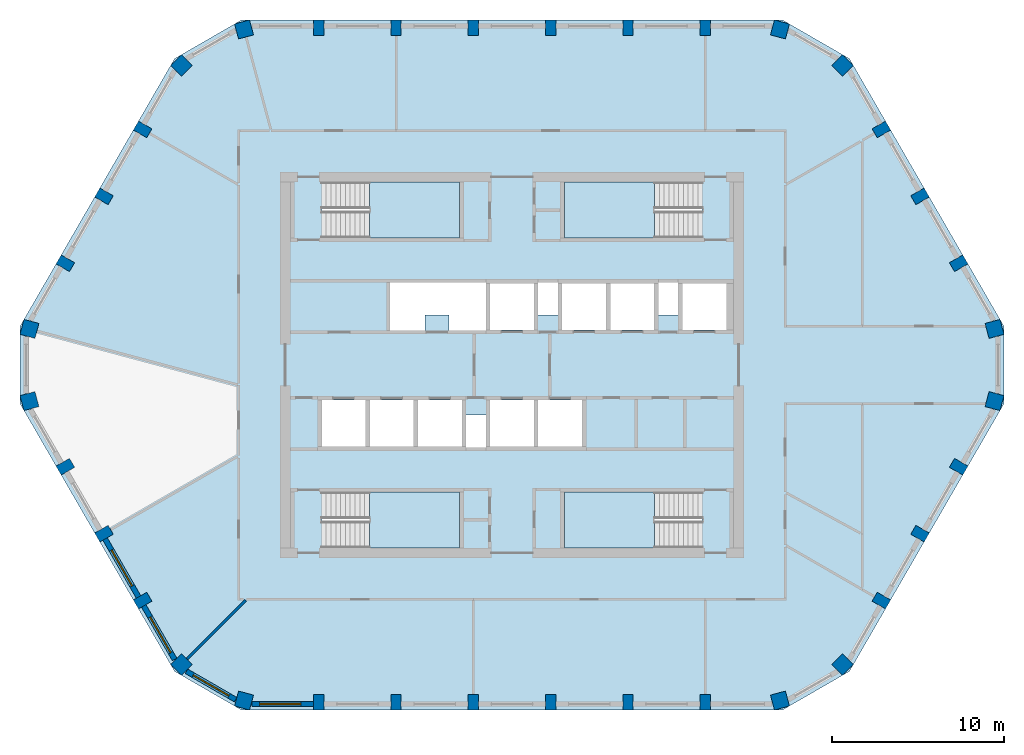
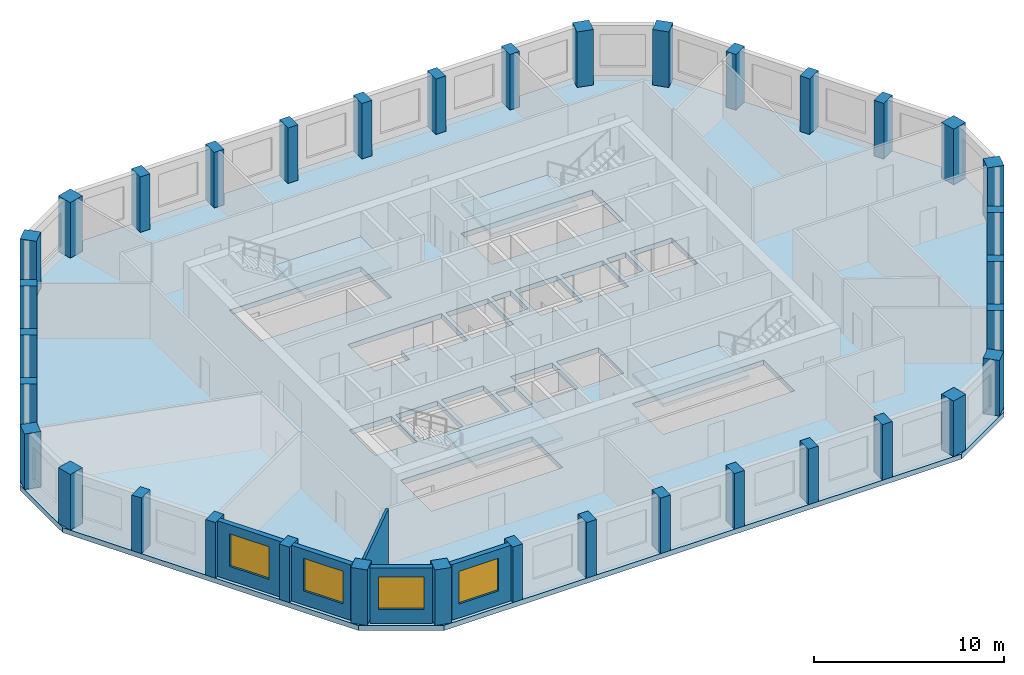
# One storey, part 1 of 9: 36 columns, 5 slabs, 5 walls, 4 windows, 4 openings, 4 elements without a shape of their own.
"""IFC4 building model written with IfcOpenShell, lengths in metres."""

from ifc_helpers import new_model, si_unit, direction, frame, frame_2d, origin, origin_2d, place, context, subcontext, project, spatial, polyline, rectangle, outline, extrude, material, layer, layer_set, material_profile, profile_set, type_object, element, fill, aggregate, save


model = new_model("IFC4")

# Units and contexts
model_context = context("Model", 3, precision=1e-05, world=origin(), true_north=direction((0.0, 1.0)))
body_context = subcontext(model_context, "Body", "Model", "MODEL_VIEW")
ifc_project = project(units=[si_unit("LENGTHUNIT", "METRE"), si_unit("AREAUNIT", "SQUARE_METRE"), si_unit("VOLUMEUNIT", "CUBIC_METRE"), si_unit("PLANEANGLEUNIT", "RADIAN"), si_unit("MASSUNIT", "GRAM", prefix="KILO")], contexts=[model_context])

# Site, building, storey
site_placement = place(None, origin())
site = spatial("IfcSite", under=ifc_project, at=site_placement, CompositionType="ELEMENT")
building_placement = place(site_placement, origin())
building = spatial("IfcBuilding", under=site, at=building_placement, Name="Dhurran Vertical Campus", CompositionType="ELEMENT")
storey_placement = place(building_placement, frame((0.0, 0.0, 290.39990234375)))
storey = spatial("IfcBuildingStorey", under=building, at=storey_placement, Name="L72", CompositionType="ELEMENT", Elevation=290.39990234375)

# Columns
ifc_material_1 = material(Name="Concrete C50/60", Category="concrete")
ifc_material_profile_1 = material_profile(ifc_material_1, rectangle(XDim=0.60009765625, YDim=0.89990234375, at=origin_2d()), Name="RC 600x900")
ifc_profile_set_1 = profile_set([ifc_material_profile_1], Name="Concrete C50/60")
column_type_1 = type_object("IfcColumnType", Name="FR COL RC 600x900 C50/60", PredefinedType="COLUMN", material=ifc_profile_set_1)
for number, where, z_axis, x_axis, name in (
    (1, (-11.25, -19.638427734375, 0.0), (0.0, 0.0, 1.0), (1.0, 0.0, 0.0), "Perimeter pier PP6.01"),
    (2, (-6.75, -19.638427734375, 0.0), (0.0, 0.0, 1.0), (1.0, 0.0, 0.0), "Perimeter pier PP6.02"),
    (3, (-2.25, -19.638427734375, 0.0), (0.0, 0.0, 1.0), (1.0, 0.0, 0.0), "Perimeter pier PP6.03"),
    (4, (2.25, -19.638427734375, 0.0), (0.0, 0.0, 1.0), (1.0, 0.0, 0.0), "Perimeter pier PP6.04"),
    (5, (6.75, -19.638427734375, 0.0), (0.0, 0.0, 1.0), (1.0, 0.0, 0.0), "Perimeter pier PP6.05"),
    (6, (11.25, -19.638427734375, 0.0), (0.0, 0.0, 1.0), (1.0, 0.0, 0.0), "Perimeter pier PP6.06"),
    (7, (21.50732421875, -13.71630859375, 0.0), (0.0, 0.0, 1.0), (0.5, 0.866025403784, 0.0), "Perimeter pier PP6.09"),
    (8, (23.75732421875, -9.819091796875, 0.0), (0.0, 0.0, 1.0), (0.5, 0.866025403784, 0.0), "Perimeter pier PP6.10"),
    (9, (26.00732421875, -5.922119140625, 0.0), (0.0, 0.0, 1.0), (0.5, 0.866025403784, 0.0), "Perimeter pier PP6.11"),
    (10, (26.00732421875, 5.922119140625, 0.0), (0.0, 0.0, 1.0), (-0.5, 0.866025403784, 0.0), "Perimeter pier PP6.14"),
    (11, (23.75732421875, 9.819091796875, 0.0), (0.0, 0.0, 1.0), (-0.5, 0.866025403784, 0.0), "Perimeter pier PP6.15"),
    (12, (21.50732421875, 13.71630859375, 0.0), (0.0, 0.0, 1.0), (-0.5, 0.866025403784, 0.0), "Perimeter pier PP6.16"),
    (13, (11.25, 19.638427734375, 0.0), (0.0, 0.0, 1.0), (-1.0, 0.0, 0.0), "Perimeter pier PP6.19"),
    (14, (6.75, 19.638427734375, 0.0), (0.0, 0.0, 1.0), (-1.0, 0.0, 0.0), "Perimeter pier PP6.20"),
    (15, (2.25, 19.638427734375, 0.0), (0.0, 0.0, 1.0), (-1.0, 0.0, 0.0), "Perimeter pier PP6.21"),
    (16, (-2.25, 19.638427734375, 0.0), (0.0, 0.0, 1.0), (-1.0, 0.0, 0.0), "Perimeter pier PP6.22"),
    (17, (-6.75, 19.638427734375, 0.0), (0.0, 0.0, 1.0), (-1.0, 0.0, 0.0), "Perimeter pier PP6.23"),
    (18, (-11.25, 19.638427734375, 0.0), (0.0, 0.0, 1.0), (-1.0, 0.0, 0.0), "Perimeter pier PP6.24"),
    (19, (-21.50732421875, 13.71630859375, 0.0), (0.0, 0.0, 1.0), (-0.5, -0.866025403784, 0.0), "Perimeter pier PP6.27"),
    (20, (-23.75732421875, 9.819091796875, 0.0), (0.0, 0.0, 1.0), (-0.5, -0.866025403784, 0.0), "Perimeter pier PP6.28"),
    (21, (-26.00732421875, 5.922119140625, 0.0), (0.0, 0.0, 1.0), (-0.5, -0.866025403784, 0.0), "Perimeter pier PP6.29"),
    (22, (-26.00732421875, -5.922119140625, 0.0), (0.0, 0.0, 1.0), (0.5, -0.866025403784, 0.0), "Perimeter pier PP6.32"),
    (23, (-23.75732421875, -9.819091796875, 0.0), (0.0, 0.0, 1.0), (0.5, -0.866025403784, 0.0), "Perimeter pier PP6.33"),
    (24, (-21.50732421875, -13.71630859375, 0.0), (0.0, 0.0, 1.0), (0.5, -0.866025403784, 0.0), "Perimeter pier PP6.34"),
):
    element("IfcColumn", number, at=place(storey_placement, frame(where, z_axis=z_axis, x_axis=x_axis)), inside=storey, type_object=column_type_1, Name=name, PredefinedType="COLUMN", context=body_context, shape_type="SweptSolid", body=[
        extrude(rectangle(XDim=0.60009765625, YDim=0.89990234375, at=origin_2d()), origin(), (0.0, 0.0, 1.0), 3.5751953125),
    ])
ifc_material_2 = material(Name="Concrete C50/60", Category="concrete")
ifc_material_profile_2 = material_profile(ifc_material_2, rectangle(XDim=0.89990234375, YDim=0.89990234375, at=origin_2d()), Name="RC 900x900")
ifc_profile_set_2 = profile_set([ifc_material_profile_2], Name="Concrete C50/60")
column_type_2 = type_object("IfcColumnType", Name="FR COL RC 900x900 C50/60", PredefinedType="COLUMN", material=ifc_profile_set_2)
for number, where, z_axis, x_axis, name in (
    (25, (-15.602294921875, -19.537353515625, 0.0), (0.0, 0.0, 1.0), (0.965925826289, -0.258819045103, 0.0), "Perimeter pier PP6.00"),
    (26, (15.602294921875, -19.537353515625, 0.0), (0.0, 0.0, 1.0), (0.965925826289, 0.258819045103, 0.0), "Perimeter pier PP6.07"),
    (27, (19.24365234375, -17.43505859375, 0.0), (0.0, 0.0, 1.0), (0.707106781187, 0.707106781187, 0.0), "Perimeter pier PP6.08"),
    (28, (28.095947265625, -2.102294921875, 0.0), (0.0, 0.0, 1.0), (0.258819045103, 0.965925826289, 0.0), "Perimeter pier PP6.12"),
    (29, (28.095947265625, 2.102294921875, 0.0), (0.0, 0.0, 1.0), (-0.258819045103, 0.965925826289, 0.0), "Perimeter pier PP6.13"),
    (30, (19.24365234375, 17.43505859375, 0.0), (0.0, 0.0, 1.0), (-0.707106781187, 0.707106781187, 0.0), "Perimeter pier PP6.17"),
    (31, (15.602294921875, 19.537353515625, 0.0), (0.0, 0.0, 1.0), (-0.965925826289, 0.258819045103, 0.0), "Perimeter pier PP6.18"),
    (32, (-15.602294921875, 19.537353515625, 0.0), (0.0, 0.0, 1.0), (-0.965925826289, -0.258819045103, 0.0), "Perimeter pier PP6.25"),
    (33, (-19.24365234375, 17.43505859375, 0.0), (0.0, 0.0, 1.0), (-0.707106781187, -0.707106781187, 0.0), "Perimeter pier PP6.26"),
    (34, (-28.095947265625, 2.102294921875, 0.0), (0.0, 0.0, 1.0), (-0.258819045103, -0.965925826289, 0.0), "Perimeter pier PP6.30"),
    (35, (-28.095947265625, -2.102294921875, 0.0), (0.0, 0.0, 1.0), (0.258819045103, -0.965925826289, 0.0), "Perimeter pier PP6.31"),
    (36, (-19.24365234375, -17.43505859375, 0.0), (0.0, 0.0, 1.0), (0.707106781187, -0.707106781187, 0.0), "Perimeter pier PP6.35"),
):
    element("IfcColumn", number, at=place(storey_placement, frame(where, z_axis=z_axis, x_axis=x_axis)), inside=storey, type_object=column_type_2, Name=name, PredefinedType="COLUMN", context=body_context, shape_type="SweptSolid", body=[
        extrude(rectangle(XDim=0.89990234375, YDim=0.89990234375, at=origin_2d()), origin(), (0.0, 0.0, 1.0), 3.5751953125),
    ])

# Slab
ifc_material_3 = material(Name="Concrete C40/50", Category="concrete")
ifc_layer_1 = layer(ifc_material_3, 0.324951171875)
ifc_layer_set_1 = layer_set([ifc_layer_1], Name="Concrete C40/50")
slab_type_1 = type_object("IfcSlabType", Name="FR POST-TENSIONED FLAT SLAB 325", PredefinedType="FLOOR", material=ifc_layer_set_1)
slab_1_placement = place(storey_placement, frame((0.0, 0.0, -0.324951171875)))
element("IfcSlab", 37, at=slab_1_placement, inside=storey, type_object=slab_type_1, Name="Floor slab L72", PredefinedType="FLOOR", context=body_context, shape_type="SweptSolid", body=[
    extrude(outline(polyline([(-15.75, -20.08837890625), (15.75, -20.08837890625), (19.647216796875, -17.83837890625), (28.647216796875, -2.25), (28.647216796875, 2.25), (19.647216796875, 17.83837890625), (15.75, 20.08837890625), (-15.75, 20.08837890625), (-19.647216796875, 17.83837890625), (-28.647216796875, 2.25), (-28.647216796875, -2.25), (-19.647216796875, -17.83837890625), (-15.75, -20.08837890625)]), holes=[polyline([(-1.27490234375, 2.050048828125), (1.27490234375, 2.050048828125), (1.27490234375, 4.75), (-1.27490234375, 4.75), (-1.27490234375, 2.050048828125)]), polyline([(9.925048828125, 2.050048828125), (12.47509765625, 2.050048828125), (12.47509765625, 4.75), (9.925048828125, 4.75), (9.925048828125, 2.050048828125)]), polyline([(-1.27490234375, -4.75), (1.27490234375, -4.75), (1.27490234375, -2.050048828125), (-1.27490234375, -2.050048828125), (-1.27490234375, -4.75)]), polyline([(1.52490234375, -4.75), (4.074951171875, -4.75), (4.074951171875, -2.050048828125), (1.52490234375, -2.050048828125), (1.52490234375, -4.75)]), polyline([(2.925048828125, 2.050048828125), (5.47509765625, 2.050048828125), (5.47509765625, 4.75), (2.925048828125, 4.75), (2.925048828125, 2.050048828125)]), polyline([(5.72509765625, 2.050048828125), (8.27490234375, 2.050048828125), (8.27490234375, 4.75), (5.72509765625, 4.75), (5.72509765625, 2.050048828125)]), polyline([(-11.074951171875, -4.75), (-8.52490234375, -4.75), (-8.52490234375, -2.050048828125), (-11.074951171875, -2.050048828125), (-11.074951171875, -4.75)]), polyline([(-8.27490234375, -4.75), (-5.72509765625, -4.75), (-5.72509765625, -2.050048828125), (-8.27490234375, -2.050048828125), (-8.27490234375, -4.75)]), polyline([(-5.47509765625, -4.75), (-2.925048828125, -4.75), (-2.925048828125, -2.050048828125), (-5.47509765625, -2.050048828125), (-5.47509765625, -4.75)]), polyline([(-11.050048828125, 7.39990234375), (-3.050048828125, 7.39990234375), (-3.050048828125, 10.64990234375), (-11.050048828125, 10.64990234375), (-11.050048828125, 7.39990234375)]), polyline([(3.050048828125, 7.39990234375), (11.050048828125, 7.39990234375), (11.050048828125, 10.64990234375), (3.050048828125, 10.64990234375), (3.050048828125, 7.39990234375)]), polyline([(-11.050048828125, -10.64990234375), (-3.050048828125, -10.64990234375), (-3.050048828125, -7.39990234375), (-11.050048828125, -7.39990234375), (-11.050048828125, -10.64990234375)]), polyline([(3.050048828125, -10.64990234375), (11.050048828125, -10.64990234375), (11.050048828125, -7.39990234375), (3.050048828125, -7.39990234375), (3.050048828125, -10.64990234375)]), polyline([(2.675048828125, 2.89990234375), (1.52490234375, 2.89990234375), (1.52490234375, 4.800048828125), (2.675048828125, 4.800048828125), (2.675048828125, 2.89990234375)]), polyline([(-2.675048828125, -2.89990234375), (-1.52490234375, -2.89990234375), (-1.52490234375, -4.800048828125), (-2.675048828125, -4.800048828125), (-2.675048828125, -2.89990234375)]), polyline([(9.675048828125, 2.89990234375), (8.52490234375, 2.89990234375), (8.52490234375, 4.800048828125), (9.675048828125, 4.800048828125), (9.675048828125, 2.89990234375)]), polyline([(-1.52490234375, 4.800048828125), (-1.52490234375, 2.0), (-3.668701171875, 2.0), (-3.668701171875, 2.89990234375), (-5.068603515625, 2.89990234375), (-5.068603515625, 2.0), (-7.21240234375, 2.0), (-7.21240234375, 4.800048828125), (-1.52490234375, 4.800048828125)])]), origin(), (0.0, 0.0, 1.0), 0.324951171875),
])

# Stair, slab
ifc_material_4 = material(Name="Concrete C40/50", Category="concrete")
stair_type = type_object("IfcStairType", Name="co-ST-CORE", PredefinedType="HALF_TURN_STAIR", material=ifc_material_4)
stair_1_placement = place(storey_placement, origin())
stair_1 = element("IfcStair", 38, at=stair_1_placement, inside=storey, type_object=stair_type, Name="L72 Protected exit stair ST1", PredefinedType="HALF_TURN_STAIR")
ifc_material_5 = material(Name="Concrete C40/50", Category="concrete")
ifc_layer_2 = layer(ifc_material_5, 0.199951171875)
ifc_layer_set_2 = layer_set([ifc_layer_2], Name="Concrete C40/50")
slab_type_2 = type_object("IfcSlabType", Name="co-SL-LANDING", PredefinedType="LANDING", material=ifc_layer_set_2)
slab_2_placement = place(storey_placement, frame((0.0, 0.0, 1.75)))
slab_2 = element("IfcSlab", 39, at=slab_2_placement, type_object=slab_type_2, Name="ST1 landing 1", PredefinedType="LANDING", context=body_context, shape_type="SweptSolid", body=[
    extrude(outline(polyline([(-8.300048828125, 7.39990234375), (-3.050048828125, 7.39990234375), (-3.050048828125, 10.64990234375), (-8.300048828125, 10.64990234375), (-8.300048828125, 7.39990234375)])), origin(), (0.0, 0.0, 1.0), 0.2001953125),
])
aggregate(stair_1, [slab_2])

stair_2_placement = place(storey_placement, origin())
stair_2 = element("IfcStair", 40, at=stair_2_placement, inside=storey, type_object=stair_type, Name="L72 Protected exit stair ST2", PredefinedType="HALF_TURN_STAIR")
slab_3_placement = place(storey_placement, frame((0.0, 0.0, 1.75)))
slab_3 = element("IfcSlab", 41, at=slab_3_placement, type_object=slab_type_2, Name="ST2 landing 1", PredefinedType="LANDING", context=body_context, shape_type="SweptSolid", body=[
    extrude(outline(polyline([(8.300048828125, 10.64990234375), (3.050048828125, 10.64990234375), (3.050048828125, 7.39990234375), (8.300048828125, 7.39990234375), (8.300048828125, 10.64990234375)])), origin(), (0.0, 0.0, 1.0), 0.2001953125),
])
aggregate(stair_2, [slab_3])

stair_3_placement = place(storey_placement, origin())
stair_3 = element("IfcStair", 42, at=stair_3_placement, inside=storey, type_object=stair_type, Name="L72 Protected exit stair ST3", PredefinedType="HALF_TURN_STAIR")
slab_4_placement = place(storey_placement, frame((0.0, 0.0, 1.75)))
slab_4 = element("IfcSlab", 43, at=slab_4_placement, type_object=slab_type_2, Name="ST3 landing 1", PredefinedType="LANDING", context=body_context, shape_type="SweptSolid", body=[
    extrude(outline(polyline([(-8.300048828125, -10.64990234375), (-3.050048828125, -10.64990234375), (-3.050048828125, -7.39990234375), (-8.300048828125, -7.39990234375), (-8.300048828125, -10.64990234375)])), origin(), (0.0, 0.0, 1.0), 0.2001953125),
])
aggregate(stair_3, [slab_4])

stair_4_placement = place(storey_placement, origin())
stair_4 = element("IfcStair", 44, at=stair_4_placement, inside=storey, type_object=stair_type, Name="L72 Protected exit stair ST4", PredefinedType="HALF_TURN_STAIR")
slab_5_placement = place(storey_placement, frame((0.0, 0.0, 1.75)))
slab_5 = element("IfcSlab", 45, at=slab_5_placement, type_object=slab_type_2, Name="ST4 landing 1", PredefinedType="LANDING", context=body_context, shape_type="SweptSolid", body=[
    extrude(outline(polyline([(8.300048828125, -7.39990234375), (3.050048828125, -7.39990234375), (3.050048828125, -10.64990234375), (8.300048828125, -10.64990234375), (8.300048828125, -7.39990234375)])), origin(), (0.0, 0.0, 1.0), 0.2001953125),
])
aggregate(stair_4, [slab_5])

# Wall, opening, window
ifc_material_6 = material(Name="Precast concrete C50/60", Category="concrete")
ifc_layer_3 = layer(ifc_material_6, 0.300048828125)
ifc_layer_set_3 = layer_set([ifc_layer_3], Name="Precast concrete C50/60")
wall_type_1 = type_object("IfcWallType", Name="Precast spandrel wall 300", PredefinedType="SOLIDWALL", material=ifc_layer_set_3)
wall_1_placement = place(storey_placement, frame((-15.14990234375, -19.738525390625, 0.0), z_axis=(0.0, 0.0, 1.0), x_axis=(1.0, 0.0, 0.0)))
wall_1 = element("IfcWall", 46, at=wall_1_placement, inside=storey, type_object=wall_type_1, Name="EW1 L72.00", PredefinedType="SOLIDWALL", context=body_context, shape_type="SweptSolid", body=[
    extrude(rectangle(XDim=3.599365234375, YDim=0.300048828125, at=frame_2d((1.7998046875, 0.0))), origin(), (0.0, 0.0, 1.0), 3.5751953125),
])
opening_1_placement = place(wall_1_placement, frame((0.449951171875, 0.0, 0.89990234375)))
opening_1 = element("IfcOpeningElement", 47, at=opening_1_placement, cuts=wall_1, Name="Opening WT1", PredefinedType="OPENING", context=body_context, shape_type="SweptSolid", body=[
    extrude(rectangle(XDim=2.39990234375, YDim=2.10009765625, at=frame_2d((1.199951171875, 1.050048828125))), frame((0.0, 0.159912109375, 0.0), z_axis=(0.0, -1.0, 0.0), x_axis=(1.0, 0.0, 0.0)), (0.0, 0.0, 1.0), 0.320068359375),
])
ifc_material_7 = material(Name="Aluminium frame with solar-control glass", Category="aluminium")
window_type = type_object("IfcWindowType", Name="Punched window 2400 x 2100", PartitioningType="SINGLE_PANEL", PredefinedType="WINDOW", material=ifc_material_7)
window_1_placement = place(opening_1_placement, origin())
window_1 = element("IfcWindow", 48, at=window_1_placement, inside=storey, type_object=window_type, Name="WT1 L72.00", OverallHeight=2.10009765625, OverallWidth=2.39990234375, PartitioningType="SINGLE_PANEL", PredefinedType="WINDOW", context=body_context, shape_type="SweptSolid", body=[
    extrude(rectangle(XDim=2.39990234375, YDim=2.10009765625, at=frame_2d((1.199951171875, 1.050048828125))), frame((0.0, 0.030029296875, 0.0), z_axis=(0.0, -1.0, 0.0), x_axis=(1.0, 0.0, 0.0)), (0.0, 0.0, 1.0), 0.06005859375),
])
fill(opening_1, window_1)

wall_2_placement = place(storey_placement, frame((-23.69384765625, -10.12939453125, 0.0), z_axis=(0.0, 0.0, 1.0), x_axis=(0.499984428715, -0.866034393683, 0.0)))
wall_2 = element("IfcWall", 49, at=wall_2_placement, inside=storey, type_object=wall_type_1, Name="EW1 L72.33", PredefinedType="SOLIDWALL", context=body_context, shape_type="SweptSolid", body=[
    extrude(rectangle(XDim=3.89892578125, YDim=0.300048828125, at=frame_2d((1.949462890625, 0.0))), origin(), (0.0, 0.0, 1.0), 3.5751953125),
])
opening_2_placement = place(wall_2_placement, frame((0.74951171875, 0.0, 0.89990234375)))
opening_2 = element("IfcOpeningElement", 50, at=opening_2_placement, cuts=wall_2, Name="Opening WT1", PredefinedType="OPENING", context=body_context, shape_type="SweptSolid", body=[
    extrude(rectangle(XDim=2.39990234375, YDim=2.10009765625, at=frame_2d((1.199951171875, 1.050048828125))), frame((0.0, 0.159912109375, 0.0), z_axis=(0.0, -1.0, 0.0), x_axis=(1.0, 0.0, 0.0)), (0.0, 0.0, 1.0), 0.320068359375),
])
window_2_placement = place(opening_2_placement, origin())
window_2 = element("IfcWindow", 51, at=window_2_placement, inside=storey, type_object=window_type, Name="WT1 L72.33", OverallHeight=2.10009765625, OverallWidth=2.39990234375, PartitioningType="SINGLE_PANEL", PredefinedType="WINDOW", context=body_context, shape_type="SweptSolid", body=[
    extrude(rectangle(XDim=2.39990234375, YDim=2.10009765625, at=frame_2d((1.199951171875, 1.050048828125))), frame((0.0, 0.030029296875, 0.0), z_axis=(0.0, -1.0, 0.0), x_axis=(1.0, 0.0, 0.0)), (0.0, 0.0, 1.0), 0.06005859375),
])
fill(opening_2, window_2)

wall_3_placement = place(storey_placement, frame((-21.44384765625, -14.026611328125, 0.0), z_axis=(0.0, 0.0, 1.0), x_axis=(0.50001992892, -0.866013897511, 0.0)))
wall_3 = element("IfcWall", 52, at=wall_3_placement, inside=storey, type_object=wall_type_1, Name="EW1 L72.34", PredefinedType="SOLIDWALL", context=body_context, shape_type="SweptSolid", body=[
    extrude(rectangle(XDim=3.599365234375, YDim=0.300048828125, at=frame_2d((1.7998046875, 0.0))), origin(), (0.0, 0.0, 1.0), 3.5751953125),
])
opening_3_placement = place(wall_3_placement, frame((0.74951171875, 0.0, 0.89990234375)))
opening_3 = element("IfcOpeningElement", 53, at=opening_3_placement, cuts=wall_3, Name="Opening WT1", PredefinedType="OPENING", context=body_context, shape_type="SweptSolid", body=[
    extrude(rectangle(XDim=2.39990234375, YDim=2.10009765625, at=frame_2d((1.199951171875, 1.050048828125))), frame((0.0, 0.159912109375, 0.0), z_axis=(0.0, -1.0, 0.0), x_axis=(1.0, 0.0, 0.0)), (0.0, 0.0, 1.0), 0.320068359375),
])
window_3_placement = place(opening_3_placement, origin())
window_3 = element("IfcWindow", 54, at=window_3_placement, inside=storey, type_object=window_type, Name="WT1 L72.34", OverallHeight=2.10009765625, OverallWidth=2.39990234375, PartitioningType="SINGLE_PANEL", PredefinedType="WINDOW", context=body_context, shape_type="SweptSolid", body=[
    extrude(rectangle(XDim=2.39990234375, YDim=2.10009765625, at=frame_2d((1.199951171875, 1.050048828125))), frame((0.0, 0.030029296875, 0.0), z_axis=(0.0, -1.0, 0.0), x_axis=(1.0, 0.0, 0.0)), (0.0, 0.0, 1.0), 0.06005859375),
])
fill(opening_3, window_3)

wall_4_placement = place(storey_placement, frame((-18.952392578125, -17.83544921875, 0.0), z_axis=(0.0, 0.0, 1.0), x_axis=(0.866021716278, -0.500006386895, 0.0)))
wall_4 = element("IfcWall", 55, at=wall_4_placement, inside=storey, type_object=wall_type_1, Name="EW1 L72.35", PredefinedType="SOLIDWALL", context=body_context, shape_type="SweptSolid", body=[
    extrude(rectangle(XDim=3.2998046875, YDim=0.300048828125, at=frame_2d((1.64990234375, 0.0))), origin(), (0.0, 0.0, 1.0), 3.5751953125),
])
opening_4_placement = place(wall_4_placement, frame((0.449951171875, 0.0, 0.89990234375)))
opening_4 = element("IfcOpeningElement", 56, at=opening_4_placement, cuts=wall_4, Name="Opening WT1", PredefinedType="OPENING", context=body_context, shape_type="SweptSolid", body=[
    extrude(rectangle(XDim=2.39990234375, YDim=2.10009765625, at=frame_2d((1.199951171875, 1.050048828125))), frame((0.0, 0.159912109375, 0.0), z_axis=(0.0, -1.0, 0.0), x_axis=(1.0, 0.0, 0.0)), (0.0, 0.0, 1.0), 0.320068359375),
])
window_4_placement = place(opening_4_placement, origin())
window_4 = element("IfcWindow", 57, at=window_4_placement, inside=storey, type_object=window_type, Name="WT1 L72.35", OverallHeight=2.10009765625, OverallWidth=2.39990234375, PartitioningType="SINGLE_PANEL", PredefinedType="WINDOW", context=body_context, shape_type="SweptSolid", body=[
    extrude(rectangle(XDim=2.39990234375, YDim=2.10009765625, at=frame_2d((1.199951171875, 1.050048828125))), frame((0.0, 0.030029296875, 0.0), z_axis=(0.0, -1.0, 0.0), x_axis=(1.0, 0.0, 0.0)), (0.0, 0.0, 1.0), 0.06005859375),
])
fill(opening_4, window_4)

# Wall
ifc_material_8 = material(Name="Gypsum board partition on steel studs", Category="steel")
ifc_layer_4 = layer(ifc_material_8, 0.14990234375)
ifc_layer_set_4 = layer_set([ifc_layer_4], Name="Gypsum board partition on steel studs")
wall_type_2 = type_object("IfcWallType", Name="fl-PW-150 fixed partition", PredefinedType="PARTITIONING", material=ifc_layer_set_4)
wall_5_placement = place(storey_placement, frame((-15.511962890625, -13.702880859375, 0.0), z_axis=(0.0, 0.0, 1.0), x_axis=(-0.707030604857, -0.70718294931, 0.0)))
element("IfcWall", 58, at=wall_5_placement, inside=storey, type_object=wall_type_2, Name="Partition 72-04", PredefinedType="PARTITIONING", context=body_context, shape_type="SweptSolid", body=[
    extrude(rectangle(XDim=4.8076171875, YDim=0.14990234375, at=frame_2d((2.40380859375, 0.0))), origin(), (0.0, 0.0, 1.0), 3.5751953125),
])

save(model, "model.ifc")
